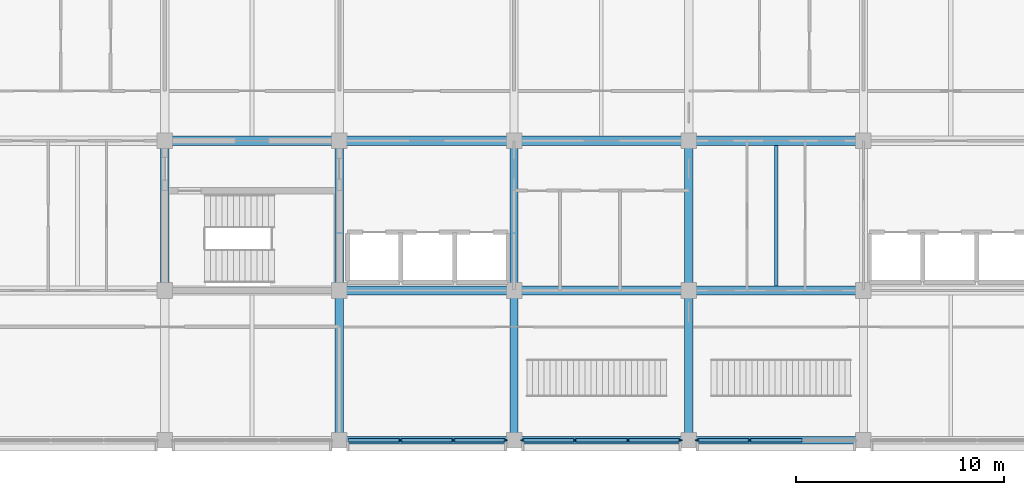
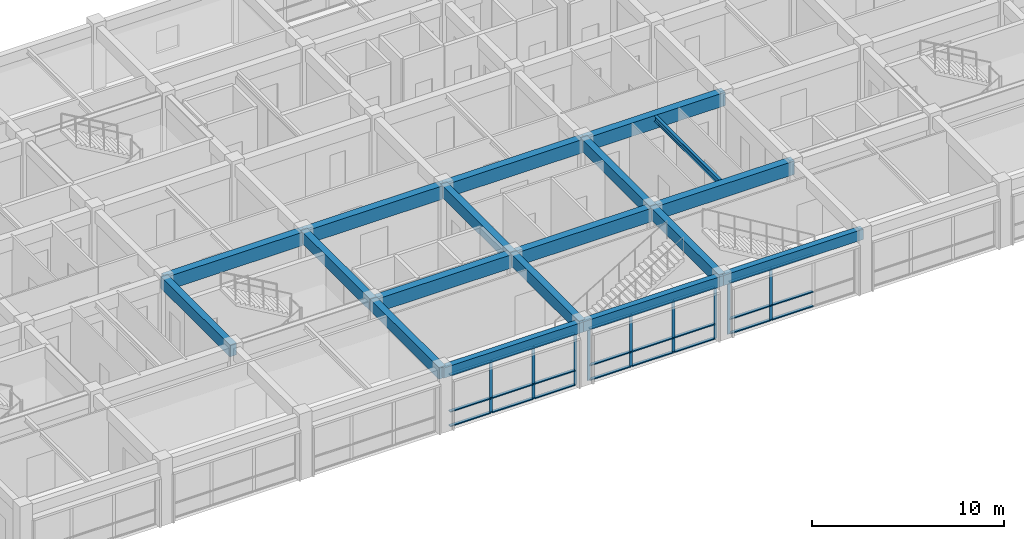
# One storey, part 3 of 27: 33 members, 18 beams, 3 elements without a shape of their own.
"""IFC4 building model written with IfcOpenShell, lengths in metres."""

from ifc_helpers import new_model, si_unit, direction, frame, origin, origin_2d, place, context, subcontext, project, spatial, rectangle, i_section, extrude, material, layer, layer_set, material_profile, profile_set, type_object, element, aggregate, save


model = new_model("IFC4")

# Units and contexts
model_context = context("Model", 3, precision=1e-05, world=origin(), true_north=direction((0.0, 1.0)))
body_context = subcontext(model_context, "Body", "Model", "MODEL_VIEW")
ifc_project = project(units=[si_unit("LENGTHUNIT", "METRE"), si_unit("AREAUNIT", "SQUARE_METRE"), si_unit("VOLUMEUNIT", "CUBIC_METRE"), si_unit("PLANEANGLEUNIT", "RADIAN"), si_unit("MASSUNIT", "GRAM", prefix="KILO")], contexts=[model_context])

# Site, building, storey
site_placement = place(None, origin())
site = spatial("IfcSite", under=ifc_project, at=site_placement, CompositionType="ELEMENT")
building_placement = place(site_placement, origin())
building = spatial("IfcBuilding", under=site, at=building_placement, Name="Chengyuan Square Courthouse", CompositionType="ELEMENT")
storey_placement = place(building_placement, frame((0.0, 0.0, 35.10009765625)))
storey = spatial("IfcBuildingStorey", under=building, at=storey_placement, Name="L08", CompositionType="ELEMENT", Elevation=35.10009765625)

# Beams
ifc_material_1 = material(Name="Concrete C40", Category="concrete")
ifc_material_profile_1 = material_profile(ifc_material_1, rectangle(XDim=0.449951171875, YDim=0.85009765625, at=origin_2d()), Name="RC-BM-450x850")
ifc_profile_set_1 = profile_set([ifc_material_profile_1], Name="Concrete C40")
beam_type_1 = type_object("IfcBeamType", Name="BM-01", PredefinedType="USERDEFINED", material=ifc_profile_set_1)
beam_1_placement = place(storey_placement, frame((67.199951171875, 86.39990234375, 3.52490234375), z_axis=(1.0, 0.0, 0.0), x_axis=(0.0, 1.0, 0.0)))
element("IfcBeam", 1, at=beam_1_placement, inside=storey, type_object=beam_type_1, Name="Girder BM-L08-3781", ObjectType="GIRDER", PredefinedType="USERDEFINED", context=body_context, shape_type="SweptSolid", body=[
    extrude(rectangle(XDim=0.449951171875, YDim=0.85009765625, at=origin_2d()), origin(), (0.0, 0.0, 1.0), 8.400146484375),
])
for number, where, z_axis, x_axis, name in (
    (2, (75.60009765625, 86.39990234375, 3.52490234375), (1.0, 0.0, 0.0), (0.0, 1.0, 0.0), "Girder BM-L08-3782"),
    (3, (84.0, 86.39990234375, 3.52490234375), (1.0, 0.0, 0.0), (0.0, 1.0, 0.0), "Girder BM-L08-3783"),
    (4, (58.800048828125, 93.60009765625, 3.52490234375), (1.0, 0.0, 0.0), (0.0, 1.0, 0.0), "Girder BM-L08-3790"),
):
    element("IfcBeam", number, at=place(storey_placement, frame(where, z_axis=z_axis, x_axis=x_axis)), inside=storey, type_object=beam_type_1, Name=name, ObjectType="GIRDER", PredefinedType="USERDEFINED", context=body_context, shape_type="SweptSolid", body=[
        extrude(rectangle(XDim=0.449951171875, YDim=0.85009765625, at=origin_2d()), origin(), (0.0, 0.0, 1.0), 8.39990234375),
    ])
beam_2_placement = place(storey_placement, frame((67.199951171875, 93.60009765625, 3.52490234375), z_axis=(1.0, 0.0, 0.0), x_axis=(0.0, 1.0, 0.0)))
element("IfcBeam", 5, at=beam_2_placement, inside=storey, type_object=beam_type_1, Name="Girder BM-L08-3791", ObjectType="GIRDER", PredefinedType="USERDEFINED", context=body_context, shape_type="SweptSolid", body=[
    extrude(rectangle(XDim=0.449951171875, YDim=0.85009765625, at=origin_2d()), origin(), (0.0, 0.0, 1.0), 8.400146484375),
])
for number, where, z_axis, x_axis, name in (
    (6, (75.60009765625, 93.60009765625, 3.52490234375), (1.0, 0.0, 0.0), (0.0, 1.0, 0.0), "Girder BM-L08-3792"),
    (7, (84.0, 93.60009765625, 3.52490234375), (1.0, 0.0, 0.0), (0.0, 1.0, 0.0), "Girder BM-L08-3793"),
):
    element("IfcBeam", number, at=place(storey_placement, frame(where, z_axis=z_axis, x_axis=x_axis)), inside=storey, type_object=beam_type_1, Name=name, ObjectType="GIRDER", PredefinedType="USERDEFINED", context=body_context, shape_type="SweptSolid", body=[
        extrude(rectangle(XDim=0.449951171875, YDim=0.85009765625, at=origin_2d()), origin(), (0.0, 0.0, 1.0), 8.39990234375),
    ])
ifc_material_profile_2 = material_profile(ifc_material_1, rectangle(XDim=0.39990234375, YDim=0.75, at=origin_2d()), Name="RC-BM-400x750")
ifc_profile_set_2 = profile_set([ifc_material_profile_2], Name="Concrete C40")
beam_type_2 = type_object("IfcBeamType", Name="BM-02", PredefinedType="USERDEFINED", material=ifc_profile_set_2)
beam_3_placement = place(storey_placement, frame((58.800048828125, 86.39990234375, 3.574951171875), z_axis=(0.0, 1.0, 0.0), x_axis=(-1.0, 0.0, 0.0)))
element("IfcBeam", 8, at=beam_3_placement, inside=storey, type_object=beam_type_2, Name="Girder BM-L08-3836", ObjectType="GIRDER", PredefinedType="USERDEFINED", context=body_context, shape_type="SweptSolid", body=[
    extrude(rectangle(XDim=0.39990234375, YDim=0.75, at=origin_2d()), origin(), (0.0, 0.0, 1.0), 7.2001953125),
])
beam_4_placement = place(storey_placement, frame((67.199951171875, 79.199951171875, 3.574951171875), z_axis=(0.0, 1.0, 0.0), x_axis=(-1.0, 0.0, 0.0)))
element("IfcBeam", 9, at=beam_4_placement, inside=storey, type_object=beam_type_2, Name="Girder BM-L08-3840", ObjectType="GIRDER", PredefinedType="USERDEFINED", context=body_context, shape_type="SweptSolid", body=[
    extrude(rectangle(XDim=0.39990234375, YDim=0.75, at=origin_2d()), origin(), (0.0, 0.0, 1.0), 7.199951171875),
])
beam_5_placement = place(storey_placement, frame((67.199951171875, 86.39990234375, 3.574951171875), z_axis=(0.0, 1.0, 0.0), x_axis=(-1.0, 0.0, 0.0)))
element("IfcBeam", 10, at=beam_5_placement, inside=storey, type_object=beam_type_2, Name="Girder BM-L08-3841", ObjectType="GIRDER", PredefinedType="USERDEFINED", context=body_context, shape_type="SweptSolid", body=[
    extrude(rectangle(XDim=0.39990234375, YDim=0.75, at=origin_2d()), origin(), (0.0, 0.0, 1.0), 7.2001953125),
])
beam_6_placement = place(storey_placement, frame((75.60009765625, 79.199951171875, 3.574951171875), z_axis=(0.0, 1.0, 0.0), x_axis=(-1.0, 0.0, 0.0)))
element("IfcBeam", 11, at=beam_6_placement, inside=storey, type_object=beam_type_2, Name="Girder BM-L08-3845", ObjectType="GIRDER", PredefinedType="USERDEFINED", context=body_context, shape_type="SweptSolid", body=[
    extrude(rectangle(XDim=0.39990234375, YDim=0.75, at=origin_2d()), origin(), (0.0, 0.0, 1.0), 7.199951171875),
])
beam_7_placement = place(storey_placement, frame((75.60009765625, 86.39990234375, 3.574951171875), z_axis=(0.0, 1.0, 0.0), x_axis=(-1.0, 0.0, 0.0)))
element("IfcBeam", 12, at=beam_7_placement, inside=storey, type_object=beam_type_2, Name="Girder BM-L08-3846", ObjectType="GIRDER", PredefinedType="USERDEFINED", context=body_context, shape_type="SweptSolid", body=[
    extrude(rectangle(XDim=0.39990234375, YDim=0.75, at=origin_2d()), origin(), (0.0, 0.0, 1.0), 7.2001953125),
])
beam_8_placement = place(storey_placement, frame((84.0, 79.199951171875, 3.574951171875), z_axis=(0.0, 1.0, 0.0), x_axis=(-1.0, 0.0, 0.0)))
element("IfcBeam", 13, at=beam_8_placement, inside=storey, type_object=beam_type_2, Name="Girder BM-L08-3850", ObjectType="GIRDER", PredefinedType="USERDEFINED", context=body_context, shape_type="SweptSolid", body=[
    extrude(rectangle(XDim=0.39990234375, YDim=0.75, at=origin_2d()), origin(), (0.0, 0.0, 1.0), 7.199951171875),
])
beam_9_placement = place(storey_placement, frame((84.0, 86.39990234375, 3.574951171875), z_axis=(0.0, 1.0, 0.0), x_axis=(-1.0, 0.0, 0.0)))
element("IfcBeam", 14, at=beam_9_placement, inside=storey, type_object=beam_type_2, Name="Girder BM-L08-3851", ObjectType="GIRDER", PredefinedType="USERDEFINED", context=body_context, shape_type="SweptSolid", body=[
    extrude(rectangle(XDim=0.39990234375, YDim=0.75, at=origin_2d()), origin(), (0.0, 0.0, 1.0), 7.2001953125),
])
ifc_material_profile_3 = material_profile(ifc_material_1, rectangle(XDim=0.35009765625, YDim=0.64990234375, at=origin_2d()), Name="RC-BM-350x650")
ifc_profile_set_3 = profile_set([ifc_material_profile_3], Name="Concrete C40")
beam_type_3 = type_object("IfcBeamType", Name="BM-03", PredefinedType="SPANDREL", material=ifc_profile_set_3)
beam_10_placement = place(storey_placement, frame((67.199951171875, 79.199951171875, 3.625), z_axis=(1.0, 0.0, 0.0), x_axis=(0.0, 1.0, 0.0)))
element("IfcBeam", 15, at=beam_10_placement, inside=storey, type_object=beam_type_3, Name="Girder BM-L08-3771", PredefinedType="SPANDREL", context=body_context, shape_type="SweptSolid", body=[
    extrude(rectangle(XDim=0.35009765625, YDim=0.64990234375, at=origin_2d()), origin(), (0.0, 0.0, 1.0), 8.400146484375),
])
for number, where, z_axis, x_axis, name in (
    (16, (75.60009765625, 79.199951171875, 3.625), (1.0, 0.0, 0.0), (0.0, 1.0, 0.0), "Girder BM-L08-3772"),
    (17, (84.0, 79.199951171875, 3.625), (1.0, 0.0, 0.0), (0.0, 1.0, 0.0), "Girder BM-L08-3773"),
):
    element("IfcBeam", number, at=place(storey_placement, frame(where, z_axis=z_axis, x_axis=x_axis)), inside=storey, type_object=beam_type_3, Name=name, PredefinedType="SPANDREL", context=body_context, shape_type="SweptSolid", body=[
        extrude(rectangle(XDim=0.35009765625, YDim=0.64990234375, at=origin_2d()), origin(), (0.0, 0.0, 1.0), 8.39990234375),
    ])
ifc_material_2 = material(Name="Steel Q355B", Category="steel")
ifc_material_profile_4 = material_profile(ifc_material_2, i_section(OverallWidth=0.175048828125, OverallDepth=0.35009765625, WebThickness=0.007080078125, FlangeThickness=0.010986328125, at=origin_2d()), Name="HN 350x175x7x11")
ifc_profile_set_4 = profile_set([ifc_material_profile_4], Name="Steel Q355B")
beam_type_4 = type_object("IfcBeamType", Name="BM-08", PredefinedType="BEAM", material=ifc_profile_set_4)
beam_11_placement = place(storey_placement, frame((88.199951171875, 86.625, 3.77490234375), z_axis=(0.0, 1.0, 0.0), x_axis=(-1.0, 0.0, 0.0)))
element("IfcBeam", 18, at=beam_11_placement, inside=storey, type_object=beam_type_4, Name="Secondary Floor Beam SBM-L08-3889", PredefinedType="BEAM", context=body_context, shape_type="SweptSolid", body=[
    extrude(i_section(OverallWidth=0.175048828125, OverallDepth=0.35009765625, WebThickness=0.007080078125, FlangeThickness=0.010986328125, at=origin_2d()), origin(), (0.0, 0.0, 1.0), 6.75),
])

# Curtain wall, members
ifc_material_3 = material(Name="Unitised Aluminium and Triple Low-E Glass", Category="aluminium")
ifc_layer = layer(ifc_material_3, 0.179931640625)
ifc_layer_set = layer_set([ifc_layer], Name="Unitised Aluminium and Triple Low-E Glass")
curtain_wall_type = type_object("IfcCurtainWallType", Name="CW-22", PredefinedType="USERDEFINED", material=ifc_layer_set)
curtain_wall_1_placement = place(storey_placement, origin())
curtain_wall_1 = element("IfcCurtainWall", 19, at=curtain_wall_1_placement, inside=storey, type_object=curtain_wall_type, Name="Unitised Curtain Wall CW-L08-224", ObjectType="UNITISED CURTAIN WALL", PredefinedType="USERDEFINED")
ifc_material_4 = material(Name="Aluminium 6063-T6 Frame", Category="aluminium")
ifc_material_profile_5 = material_profile(ifc_material_4, rectangle(XDim=0.06494140625, YDim=0.179931640625, at=origin_2d()), Name="CW-MUL-65x180")
ifc_profile_set_5 = profile_set([ifc_material_profile_5], Name="Aluminium 6063-T6 Frame")
member_type_1 = type_object("IfcMemberType", Name="CWM-02", PredefinedType="MULLION", material=ifc_profile_set_5)
member_1_placement = place(storey_placement, frame((70.125, 79.199951171875, 0.0), z_axis=(0.0, 0.0, 1.0), x_axis=(0.0, 1.0, 0.0)))
member_1 = element("IfcMember", 20, at=member_1_placement, type_object=member_type_1, Name="CW-22 mullion 2", PredefinedType="MULLION", context=body_context, shape_type="SweptSolid", body=[
    extrude(rectangle(XDim=0.06494140625, YDim=0.179931640625, at=origin_2d()), origin(), (0.0, 0.0, 1.0), 3.2998046875),
])
member_2_placement = place(storey_placement, frame((72.675048828125, 79.199951171875, 0.0), z_axis=(0.0, 0.0, 1.0), x_axis=(0.0, 1.0, 0.0)))
member_2 = element("IfcMember", 21, at=member_2_placement, type_object=member_type_1, Name="CW-22 mullion 3", PredefinedType="MULLION", context=body_context, shape_type="SweptSolid", body=[
    extrude(rectangle(XDim=0.06494140625, YDim=0.179931640625, at=origin_2d()), origin(), (0.0, 0.0, 1.0), 3.2998046875),
])
member_3_placement = place(storey_placement, frame((75.1923828125, 79.199951171875, 0.0), z_axis=(0.0, 0.0, 1.0), x_axis=(0.0, 1.0, 0.0)))
member_3 = element("IfcMember", 22, at=member_3_placement, type_object=member_type_1, Name="CW-22 mullion 4", PredefinedType="MULLION", context=body_context, shape_type="SweptSolid", body=[
    extrude(rectangle(XDim=0.06494140625, YDim=0.179931640625, at=origin_2d()), origin(), (0.0, 0.0, 1.0), 3.2998046875),
])

curtain_wall_2_placement = place(storey_placement, origin())
curtain_wall_2 = element("IfcCurtainWall", 23, at=curtain_wall_2_placement, inside=storey, type_object=curtain_wall_type, Name="Unitised Curtain Wall CW-L08-225", ObjectType="UNITISED CURTAIN WALL", PredefinedType="USERDEFINED")
member_4_placement = place(storey_placement, frame((76.007568359375, 79.199951171875, 0.0), z_axis=(0.0, 0.0, 1.0), x_axis=(0.0, 1.0, 0.0)))
member_4 = element("IfcMember", 24, at=member_4_placement, type_object=member_type_1, Name="CW-22 mullion 1", PredefinedType="MULLION", context=body_context, shape_type="SweptSolid", body=[
    extrude(rectangle(XDim=0.06494140625, YDim=0.179931640625, at=origin_2d()), origin(), (0.0, 0.0, 1.0), 3.2998046875),
])
member_5_placement = place(storey_placement, frame((78.52490234375, 79.199951171875, 0.0), z_axis=(0.0, 0.0, 1.0), x_axis=(0.0, 1.0, 0.0)))
member_5 = element("IfcMember", 25, at=member_5_placement, type_object=member_type_1, Name="CW-22 mullion 2", PredefinedType="MULLION", context=body_context, shape_type="SweptSolid", body=[
    extrude(rectangle(XDim=0.06494140625, YDim=0.179931640625, at=origin_2d()), origin(), (0.0, 0.0, 1.0), 3.2998046875),
])
member_6_placement = place(storey_placement, frame((81.074951171875, 79.199951171875, 0.0), z_axis=(0.0, 0.0, 1.0), x_axis=(0.0, 1.0, 0.0)))
member_6 = element("IfcMember", 26, at=member_6_placement, type_object=member_type_1, Name="CW-22 mullion 3", PredefinedType="MULLION", context=body_context, shape_type="SweptSolid", body=[
    extrude(rectangle(XDim=0.06494140625, YDim=0.179931640625, at=origin_2d()), origin(), (0.0, 0.0, 1.0), 3.2998046875),
])
member_7_placement = place(storey_placement, frame((83.592529296875, 79.199951171875, 0.0), z_axis=(0.0, 0.0, 1.0), x_axis=(0.0, 1.0, 0.0)))
member_7 = element("IfcMember", 27, at=member_7_placement, type_object=member_type_1, Name="CW-22 mullion 4", PredefinedType="MULLION", context=body_context, shape_type="SweptSolid", body=[
    extrude(rectangle(XDim=0.06494140625, YDim=0.179931640625, at=origin_2d()), origin(), (0.0, 0.0, 1.0), 3.2998046875),
])

curtain_wall_3_placement = place(storey_placement, origin())
curtain_wall_3 = element("IfcCurtainWall", 28, at=curtain_wall_3_placement, inside=storey, type_object=curtain_wall_type, Name="Unitised Curtain Wall CW-L08-227", ObjectType="UNITISED CURTAIN WALL", PredefinedType="USERDEFINED")
member_8_placement = place(storey_placement, frame((84.407470703125, 79.199951171875, 0.0), z_axis=(0.0, 0.0, 1.0), x_axis=(0.0, 1.0, 0.0)))
member_8 = element("IfcMember", 29, at=member_8_placement, type_object=member_type_1, Name="CW-22 mullion 1", PredefinedType="MULLION", context=body_context, shape_type="SweptSolid", body=[
    extrude(rectangle(XDim=0.06494140625, YDim=0.179931640625, at=origin_2d()), origin(), (0.0, 0.0, 1.0), 3.2998046875),
])
member_9_placement = place(storey_placement, frame((86.925048828125, 79.199951171875, 0.0), z_axis=(0.0, 0.0, 1.0), x_axis=(0.0, 1.0, 0.0)))
member_9 = element("IfcMember", 30, at=member_9_placement, type_object=member_type_1, Name="CW-22 mullion 2", PredefinedType="MULLION", context=body_context, shape_type="SweptSolid", body=[
    extrude(rectangle(XDim=0.06494140625, YDim=0.179931640625, at=origin_2d()), origin(), (0.0, 0.0, 1.0), 3.2998046875),
])

# Member
ifc_material_profile_6 = material_profile(ifc_material_4, rectangle(XDim=0.179931640625, YDim=0.06494140625, at=origin_2d()), Name="CW-TRN-65x140")
ifc_profile_set_6 = profile_set([ifc_material_profile_6], Name="Aluminium 6063-T6 Frame")
member_type_2 = type_object("IfcMemberType", Name="CWT-02", PredefinedType="USERDEFINED", material=ifc_profile_set_6)
member_10_placement = place(storey_placement, frame((67.639892578125, 79.199951171875, 0.032470703125), z_axis=(1.0, 0.0, 0.0), x_axis=(0.0, 1.0, 0.0)))
member_10 = element("IfcMember", 31, at=member_10_placement, type_object=member_type_2, Name="CW-22 transom 1.1", ObjectType="TRANSOM", PredefinedType="USERDEFINED", context=body_context, shape_type="SweptSolid", body=[
    extrude(rectangle(XDim=0.179931640625, YDim=0.06494140625, at=origin_2d()), origin(), (0.0, 0.0, 1.0), 2.45263671875),
])

member_11_placement = place(storey_placement, frame((67.639892578125, 79.199951171875, 0.949951171875), z_axis=(1.0, 0.0, 0.0), x_axis=(0.0, 1.0, 0.0)))
member_11 = element("IfcMember", 32, at=member_11_placement, type_object=member_type_2, Name="CW-22 transom 1.2", ObjectType="TRANSOM", PredefinedType="USERDEFINED", context=body_context, shape_type="SweptSolid", body=[
    extrude(rectangle(XDim=0.179931640625, YDim=0.06494140625, at=origin_2d()), origin(), (0.0, 0.0, 1.0), 2.45263671875),
])

member_12_placement = place(storey_placement, frame((67.639892578125, 79.199951171875, 3.267333984375), z_axis=(1.0, 0.0, 0.0), x_axis=(0.0, 1.0, 0.0)))
member_12 = element("IfcMember", 33, at=member_12_placement, type_object=member_type_2, Name="CW-22 transom 1.3", ObjectType="TRANSOM", PredefinedType="USERDEFINED", context=body_context, shape_type="SweptSolid", body=[
    extrude(rectangle(XDim=0.179931640625, YDim=0.06494140625, at=origin_2d()), origin(), (0.0, 0.0, 1.0), 2.45263671875),
])

member_13_placement = place(storey_placement, frame((70.157470703125, 79.199951171875, 0.032470703125), z_axis=(1.0, 0.0, 0.0), x_axis=(0.0, 1.0, 0.0)))
member_13 = element("IfcMember", 34, at=member_13_placement, type_object=member_type_2, Name="CW-22 transom 2.1", ObjectType="TRANSOM", PredefinedType="USERDEFINED", context=body_context, shape_type="SweptSolid", body=[
    extrude(rectangle(XDim=0.179931640625, YDim=0.06494140625, at=origin_2d()), origin(), (0.0, 0.0, 1.0), 2.485107421875),
])

member_14_placement = place(storey_placement, frame((70.157470703125, 79.199951171875, 0.949951171875), z_axis=(1.0, 0.0, 0.0), x_axis=(0.0, 1.0, 0.0)))
member_14 = element("IfcMember", 35, at=member_14_placement, type_object=member_type_2, Name="CW-22 transom 2.2", ObjectType="TRANSOM", PredefinedType="USERDEFINED", context=body_context, shape_type="SweptSolid", body=[
    extrude(rectangle(XDim=0.179931640625, YDim=0.06494140625, at=origin_2d()), origin(), (0.0, 0.0, 1.0), 2.485107421875),
])

member_15_placement = place(storey_placement, frame((70.157470703125, 79.199951171875, 3.267333984375), z_axis=(1.0, 0.0, 0.0), x_axis=(0.0, 1.0, 0.0)))
member_15 = element("IfcMember", 36, at=member_15_placement, type_object=member_type_2, Name="CW-22 transom 2.3", ObjectType="TRANSOM", PredefinedType="USERDEFINED", context=body_context, shape_type="SweptSolid", body=[
    extrude(rectangle(XDim=0.179931640625, YDim=0.06494140625, at=origin_2d()), origin(), (0.0, 0.0, 1.0), 2.485107421875),
])

member_16_placement = place(storey_placement, frame((72.70751953125, 79.199951171875, 0.032470703125), z_axis=(1.0, 0.0, 0.0), x_axis=(0.0, 1.0, 0.0)))
member_16 = element("IfcMember", 37, at=member_16_placement, type_object=member_type_2, Name="CW-22 transom 3.1", ObjectType="TRANSOM", PredefinedType="USERDEFINED", context=body_context, shape_type="SweptSolid", body=[
    extrude(rectangle(XDim=0.179931640625, YDim=0.06494140625, at=origin_2d()), origin(), (0.0, 0.0, 1.0), 2.452392578125),
])

member_17_placement = place(storey_placement, frame((72.70751953125, 79.199951171875, 0.949951171875), z_axis=(1.0, 0.0, 0.0), x_axis=(0.0, 1.0, 0.0)))
member_17 = element("IfcMember", 38, at=member_17_placement, type_object=member_type_2, Name="CW-22 transom 3.2", ObjectType="TRANSOM", PredefinedType="USERDEFINED", context=body_context, shape_type="SweptSolid", body=[
    extrude(rectangle(XDim=0.179931640625, YDim=0.06494140625, at=origin_2d()), origin(), (0.0, 0.0, 1.0), 2.452392578125),
])

member_18_placement = place(storey_placement, frame((72.70751953125, 79.199951171875, 3.267333984375), z_axis=(1.0, 0.0, 0.0), x_axis=(0.0, 1.0, 0.0)))
member_18 = element("IfcMember", 39, at=member_18_placement, type_object=member_type_2, Name="CW-22 transom 3.3", ObjectType="TRANSOM", PredefinedType="USERDEFINED", context=body_context, shape_type="SweptSolid", body=[
    extrude(rectangle(XDim=0.179931640625, YDim=0.06494140625, at=origin_2d()), origin(), (0.0, 0.0, 1.0), 2.452392578125),
])

aggregate(curtain_wall_1, [member_1, member_2, member_3, member_10, member_11, member_12, member_13, member_14, member_15, member_16, member_17, member_18])

member_19_placement = place(storey_placement, frame((76.0400390625, 79.199951171875, 0.032470703125), z_axis=(1.0, 0.0, 0.0), x_axis=(0.0, 1.0, 0.0)))
member_19 = element("IfcMember", 40, at=member_19_placement, type_object=member_type_2, Name="CW-22 transom 1.1", ObjectType="TRANSOM", PredefinedType="USERDEFINED", context=body_context, shape_type="SweptSolid", body=[
    extrude(rectangle(XDim=0.179931640625, YDim=0.06494140625, at=origin_2d()), origin(), (0.0, 0.0, 1.0), 2.452392578125),
])

member_20_placement = place(storey_placement, frame((76.0400390625, 79.199951171875, 0.949951171875), z_axis=(1.0, 0.0, 0.0), x_axis=(0.0, 1.0, 0.0)))
member_20 = element("IfcMember", 41, at=member_20_placement, type_object=member_type_2, Name="CW-22 transom 1.2", ObjectType="TRANSOM", PredefinedType="USERDEFINED", context=body_context, shape_type="SweptSolid", body=[
    extrude(rectangle(XDim=0.179931640625, YDim=0.06494140625, at=origin_2d()), origin(), (0.0, 0.0, 1.0), 2.452392578125),
])

member_21_placement = place(storey_placement, frame((76.0400390625, 79.199951171875, 3.267333984375), z_axis=(1.0, 0.0, 0.0), x_axis=(0.0, 1.0, 0.0)))
member_21 = element("IfcMember", 42, at=member_21_placement, type_object=member_type_2, Name="CW-22 transom 1.3", ObjectType="TRANSOM", PredefinedType="USERDEFINED", context=body_context, shape_type="SweptSolid", body=[
    extrude(rectangle(XDim=0.179931640625, YDim=0.06494140625, at=origin_2d()), origin(), (0.0, 0.0, 1.0), 2.452392578125),
])

member_22_placement = place(storey_placement, frame((78.5576171875, 79.199951171875, 0.032470703125), z_axis=(1.0, 0.0, 0.0), x_axis=(0.0, 1.0, 0.0)))
member_22 = element("IfcMember", 43, at=member_22_placement, type_object=member_type_2, Name="CW-22 transom 2.1", ObjectType="TRANSOM", PredefinedType="USERDEFINED", context=body_context, shape_type="SweptSolid", body=[
    extrude(rectangle(XDim=0.179931640625, YDim=0.06494140625, at=origin_2d()), origin(), (0.0, 0.0, 1.0), 2.48486328125),
])

member_23_placement = place(storey_placement, frame((78.5576171875, 79.199951171875, 0.949951171875), z_axis=(1.0, 0.0, 0.0), x_axis=(0.0, 1.0, 0.0)))
member_23 = element("IfcMember", 44, at=member_23_placement, type_object=member_type_2, Name="CW-22 transom 2.2", ObjectType="TRANSOM", PredefinedType="USERDEFINED", context=body_context, shape_type="SweptSolid", body=[
    extrude(rectangle(XDim=0.179931640625, YDim=0.06494140625, at=origin_2d()), origin(), (0.0, 0.0, 1.0), 2.48486328125),
])

member_24_placement = place(storey_placement, frame((78.5576171875, 79.199951171875, 3.267333984375), z_axis=(1.0, 0.0, 0.0), x_axis=(0.0, 1.0, 0.0)))
member_24 = element("IfcMember", 45, at=member_24_placement, type_object=member_type_2, Name="CW-22 transom 2.3", ObjectType="TRANSOM", PredefinedType="USERDEFINED", context=body_context, shape_type="SweptSolid", body=[
    extrude(rectangle(XDim=0.179931640625, YDim=0.06494140625, at=origin_2d()), origin(), (0.0, 0.0, 1.0), 2.48486328125),
])

member_25_placement = place(storey_placement, frame((81.107421875, 79.199951171875, 0.032470703125), z_axis=(1.0, 0.0, 0.0), x_axis=(0.0, 1.0, 0.0)))
member_25 = element("IfcMember", 46, at=member_25_placement, type_object=member_type_2, Name="CW-22 transom 3.1", ObjectType="TRANSOM", PredefinedType="USERDEFINED", context=body_context, shape_type="SweptSolid", body=[
    extrude(rectangle(XDim=0.179931640625, YDim=0.06494140625, at=origin_2d()), origin(), (0.0, 0.0, 1.0), 2.45263671875),
])

member_26_placement = place(storey_placement, frame((81.107421875, 79.199951171875, 0.949951171875), z_axis=(1.0, 0.0, 0.0), x_axis=(0.0, 1.0, 0.0)))
member_26 = element("IfcMember", 47, at=member_26_placement, type_object=member_type_2, Name="CW-22 transom 3.2", ObjectType="TRANSOM", PredefinedType="USERDEFINED", context=body_context, shape_type="SweptSolid", body=[
    extrude(rectangle(XDim=0.179931640625, YDim=0.06494140625, at=origin_2d()), origin(), (0.0, 0.0, 1.0), 2.45263671875),
])

member_27_placement = place(storey_placement, frame((81.107421875, 79.199951171875, 3.267333984375), z_axis=(1.0, 0.0, 0.0), x_axis=(0.0, 1.0, 0.0)))
member_27 = element("IfcMember", 48, at=member_27_placement, type_object=member_type_2, Name="CW-22 transom 3.3", ObjectType="TRANSOM", PredefinedType="USERDEFINED", context=body_context, shape_type="SweptSolid", body=[
    extrude(rectangle(XDim=0.179931640625, YDim=0.06494140625, at=origin_2d()), origin(), (0.0, 0.0, 1.0), 2.45263671875),
])

aggregate(curtain_wall_2, [member_4, member_5, member_6, member_7, member_19, member_20, member_21, member_22, member_23, member_24, member_25, member_26, member_27])

member_28_placement = place(storey_placement, frame((84.43994140625, 79.199951171875, 0.032470703125), z_axis=(1.0, 0.0, 0.0), x_axis=(0.0, 1.0, 0.0)))
member_28 = element("IfcMember", 49, at=member_28_placement, type_object=member_type_2, Name="CW-22 transom 1.1", ObjectType="TRANSOM", PredefinedType="USERDEFINED", context=body_context, shape_type="SweptSolid", body=[
    extrude(rectangle(XDim=0.179931640625, YDim=0.06494140625, at=origin_2d()), origin(), (0.0, 0.0, 1.0), 2.45263671875),
])

member_29_placement = place(storey_placement, frame((84.43994140625, 79.199951171875, 0.949951171875), z_axis=(1.0, 0.0, 0.0), x_axis=(0.0, 1.0, 0.0)))
member_29 = element("IfcMember", 50, at=member_29_placement, type_object=member_type_2, Name="CW-22 transom 1.2", ObjectType="TRANSOM", PredefinedType="USERDEFINED", context=body_context, shape_type="SweptSolid", body=[
    extrude(rectangle(XDim=0.179931640625, YDim=0.06494140625, at=origin_2d()), origin(), (0.0, 0.0, 1.0), 2.45263671875),
])

member_30_placement = place(storey_placement, frame((84.43994140625, 79.199951171875, 3.267333984375), z_axis=(1.0, 0.0, 0.0), x_axis=(0.0, 1.0, 0.0)))
member_30 = element("IfcMember", 51, at=member_30_placement, type_object=member_type_2, Name="CW-22 transom 1.3", ObjectType="TRANSOM", PredefinedType="USERDEFINED", context=body_context, shape_type="SweptSolid", body=[
    extrude(rectangle(XDim=0.179931640625, YDim=0.06494140625, at=origin_2d()), origin(), (0.0, 0.0, 1.0), 2.45263671875),
])

member_31_placement = place(storey_placement, frame((86.95751953125, 79.199951171875, 0.032470703125), z_axis=(1.0, 0.0, 0.0), x_axis=(0.0, 1.0, 0.0)))
member_31 = element("IfcMember", 52, at=member_31_placement, type_object=member_type_2, Name="CW-22 transom 2.1", ObjectType="TRANSOM", PredefinedType="USERDEFINED", context=body_context, shape_type="SweptSolid", body=[
    extrude(rectangle(XDim=0.179931640625, YDim=0.06494140625, at=origin_2d()), origin(), (0.0, 0.0, 1.0), 2.48486328125),
])

member_32_placement = place(storey_placement, frame((86.95751953125, 79.199951171875, 0.949951171875), z_axis=(1.0, 0.0, 0.0), x_axis=(0.0, 1.0, 0.0)))
member_32 = element("IfcMember", 53, at=member_32_placement, type_object=member_type_2, Name="CW-22 transom 2.2", ObjectType="TRANSOM", PredefinedType="USERDEFINED", context=body_context, shape_type="SweptSolid", body=[
    extrude(rectangle(XDim=0.179931640625, YDim=0.06494140625, at=origin_2d()), origin(), (0.0, 0.0, 1.0), 2.48486328125),
])

member_33_placement = place(storey_placement, frame((86.95751953125, 79.199951171875, 3.267333984375), z_axis=(1.0, 0.0, 0.0), x_axis=(0.0, 1.0, 0.0)))
member_33 = element("IfcMember", 54, at=member_33_placement, type_object=member_type_2, Name="CW-22 transom 2.3", ObjectType="TRANSOM", PredefinedType="USERDEFINED", context=body_context, shape_type="SweptSolid", body=[
    extrude(rectangle(XDim=0.179931640625, YDim=0.06494140625, at=origin_2d()), origin(), (0.0, 0.0, 1.0), 2.48486328125),
])

aggregate(curtain_wall_3, [member_8, member_9, member_28, member_29, member_30, member_31, member_32, member_33])

save(model, "model.ifc")
